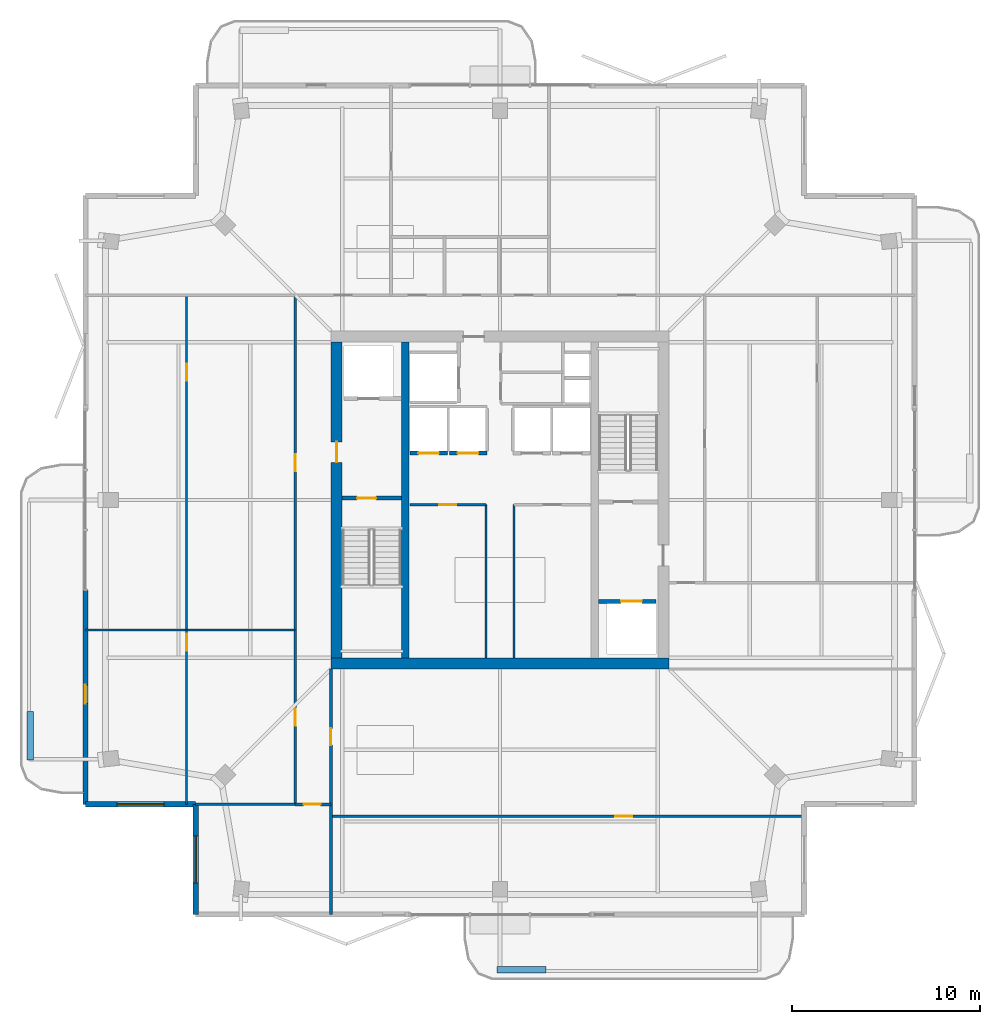
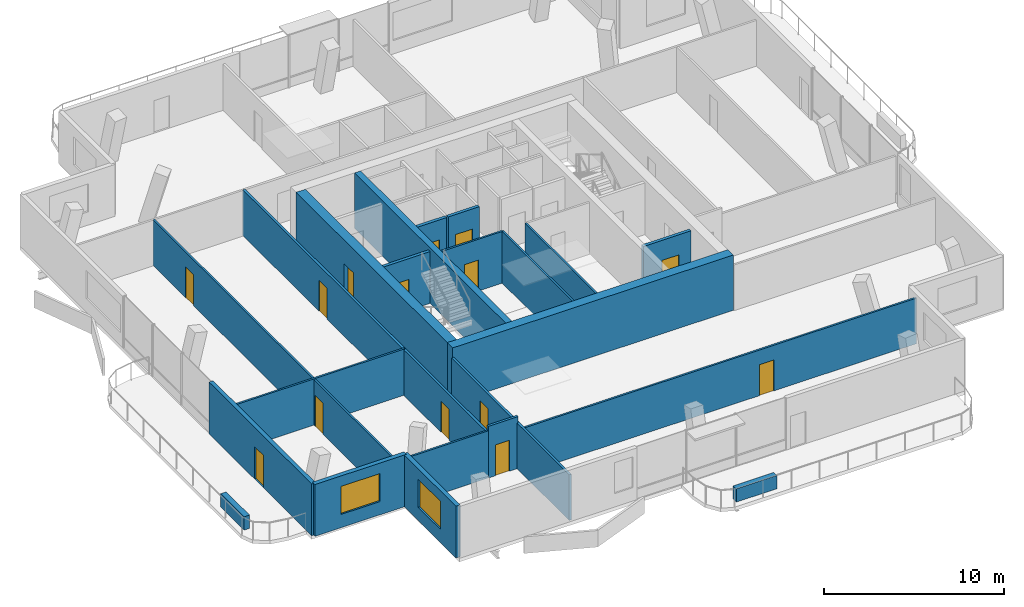
# One storey, part 13 of 19: 23 walls, 14 doors, 2 windows, 16 openings.
"""IFC4 building model written with IfcOpenShell, lengths in metres."""

from ifc_helpers import new_model, si_unit, direction, frame, frame_2d, origin, place, context, subcontext, project, spatial, rectangle, extrude, material, layer, layer_set, type_object, element, fill, save


model = new_model("IFC4")

# Units and contexts
model_context = context("Model", 3, precision=1e-05, world=origin(), true_north=direction((0.0, 1.0)))
body_context = subcontext(model_context, "Body", "Model", "MODEL_VIEW")
ifc_project = project(units=[si_unit("LENGTHUNIT", "METRE"), si_unit("AREAUNIT", "SQUARE_METRE"), si_unit("VOLUMEUNIT", "CUBIC_METRE"), si_unit("PLANEANGLEUNIT", "RADIAN"), si_unit("MASSUNIT", "GRAM", prefix="KILO")], contexts=[model_context])

# Site, building, storey
site_placement = place(None, origin())
site = spatial("IfcSite", under=ifc_project, at=site_placement, CompositionType="ELEMENT")
building_placement = place(site_placement, origin())
building = spatial("IfcBuilding", under=site, at=building_placement, Name="Belovzor Exchange Tower", CompositionType="ELEMENT")
storey_placement = place(building_placement, frame((0.0, 0.0, 340.5)))
storey = spatial("IfcBuildingStorey", under=building, at=storey_placement, Name="L85", CompositionType="ELEMENT", Elevation=340.5)

# Wall, opening, door
ifc_material_1 = material(Name="Acoustic Plasterboard on Galvanised Studs", Category="gypsum")
ifc_layer_1 = layer(ifc_material_1, 0.1201171875)
ifc_layer_set_1 = layer_set([ifc_layer_1], Name="Acoustic Plasterboard on Galvanised Studs")
wall_type_1 = type_object("IfcWallType", Name="Acoustic Double-Stud Partition Wall 120", PredefinedType="PARTITIONING", material=ifc_layer_set_1)
wall_1_placement = place(storey_placement, frame((12.115966796875, 12.60009765625, 0.0), z_axis=(0.0, 0.0, 1.0), x_axis=(0.0, 1.0, 0.0)))
wall_1 = element("IfcWall", 1, at=wall_1_placement, inside=storey, type_object=wall_type_1, Name="W-P120 Partition Wall W-L85-WHDIV-0", PredefinedType="PARTITIONING", context=body_context, shape_type="SweptSolid", body=[
    extrude(rectangle(XDim=9.27490234375, YDim=0.1201171875, at=frame_2d((4.637451171875, 0.0))), origin(), (0.0, 0.0, 1.0), 3.094970703125),
])
opening_1_placement = place(wall_1_placement, frame((8.175048828125, 0.0, 0.0)))
opening_1 = element("IfcOpeningElement", 2, at=opening_1_placement, cuts=wall_1, Name="Opening D-INT-090", PredefinedType="OPENING", context=body_context, shape_type="SweptSolid", body=[
    extrude(rectangle(XDim=0.89990234375, YDim=2.10009765625, at=frame_2d((0.449951171875, 1.050048828125))), frame((0.0, 0.070068359375, 0.0), z_axis=(0.0, -1.0, 0.0), x_axis=(1.0, 0.0, 0.0)), (0.0, 0.0, 1.0), 0.14013671875),
])
ifc_material_2 = material(Name="Veneered Hardwood Acoustic Leaf", Category="wood")
door_type_1 = type_object("IfcDoorType", Name="Trading Suite Acoustic Single Door 900x2100", OperationType="NOTDEFINED", PredefinedType="DOOR", material=ifc_material_2)
door_1_placement = place(opening_1_placement, origin())
door_1 = element("IfcDoor", 3, at=door_1_placement, inside=storey, type_object=door_type_1, Name="D-INT-090 Trading Suite Acoustic Single Door 900x2100", OperationType="SINGLE_SWING_LEFT", OverallHeight=2.10009765625, OverallWidth=0.89990234375, PredefinedType="DOOR", context=body_context, shape_type="SweptSolid", body=[
    extrude(rectangle(XDim=0.89990234375, YDim=2.10009765625, at=frame_2d((0.449951171875, 1.050048828125))), frame((0.0, 0.02490234375, 0.0), z_axis=(0.0, -1.0, 0.0), x_axis=(1.0, 0.0, 0.0)), (0.0, 0.0, 1.0), 0.050048828125),
])
fill(opening_1, door_1)

# Wall
wall_2_placement = place(storey_placement, frame((6.72998046875, 21.875, 0.0), z_axis=(0.0, 0.0, 1.0), x_axis=(1.0, 0.0, 0.0)))
element("IfcWall", 4, at=wall_2_placement, inside=storey, type_object=wall_type_1, Name="W-P120 Partition Wall W-L85-WDIV-1", PredefinedType="PARTITIONING", context=body_context, shape_type="SweptSolid", body=[
    extrude(rectangle(XDim=11.169921875, YDim=0.1201171875, at=frame_2d((5.5849609375, 0.0))), origin(), (0.0, 0.0, 1.0), 3.135009765625),
])

# Wall, opening, door
wall_3_placement = place(storey_placement, frame((12.115966796875, 21.875, 0.0), z_axis=(0.0, 0.0, 1.0), x_axis=(0.0, 1.0, 0.0)))
wall_3 = element("IfcWall", 5, at=wall_3_placement, inside=storey, type_object=wall_type_1, Name="W-P120 Partition Wall W-L85-WHDIV-1", PredefinedType="PARTITIONING", context=body_context, shape_type="SweptSolid", body=[
    extrude(rectangle(XDim=17.824951171875, YDim=0.1201171875, at=frame_2d((8.91259765625, 0.0))), origin(), (0.0, 0.0, 1.0), 3.094970703125),
])
opening_2_placement = place(wall_3_placement, frame((13.281982421875, 0.0, 0.0)))
opening_2 = element("IfcOpeningElement", 6, at=opening_2_placement, cuts=wall_3, Name="Opening D-INT-090", PredefinedType="OPENING", context=body_context, shape_type="SweptSolid", body=[
    extrude(rectangle(XDim=0.89990234375, YDim=2.10009765625, at=frame_2d((0.449951171875, 1.050048828125))), frame((0.0, 0.070068359375, 0.0), z_axis=(0.0, -1.0, 0.0), x_axis=(1.0, 0.0, 0.0)), (0.0, 0.0, 1.0), 0.14013671875),
])
door_2_placement = place(opening_2_placement, origin())
door_2 = element("IfcDoor", 7, at=door_2_placement, inside=storey, type_object=door_type_1, Name="D-INT-090 Trading Suite Acoustic Single Door 900x2100", OperationType="SINGLE_SWING_LEFT", OverallHeight=2.10009765625, OverallWidth=0.89990234375, PredefinedType="DOOR", context=body_context, shape_type="SweptSolid", body=[
    extrude(rectangle(XDim=0.89990234375, YDim=2.10009765625, at=frame_2d((0.449951171875, 1.050048828125))), frame((0.0, 0.02490234375, 0.0), z_axis=(0.0, -1.0, 0.0), x_axis=(1.0, 0.0, 0.0)), (0.0, 0.0, 1.0), 0.050048828125),
])
fill(opening_2, door_2)

# Wall
wall_4_placement = place(storey_placement, frame((12.60009765625, 12.60009765625, 0.0), z_axis=(0.0, 0.0, 1.0), x_axis=(1.0, 0.0, 0.0)))
element("IfcWall", 8, at=wall_4_placement, inside=storey, type_object=wall_type_1, Name="W-P120 Partition Wall W-L85-SWS", PredefinedType="PARTITIONING", context=body_context, shape_type="SweptSolid", body=[
    extrude(rectangle(XDim=5.2998046875, YDim=0.1201171875, at=frame_2d((2.64990234375, 0.0))), origin(), (0.0, 0.0, 1.0), 3.195068359375),
])

# Wall, opening, door
wall_5_placement = place(storey_placement, frame((19.800048828125, 11.972900390625, 0.0), z_axis=(0.0, 0.0, 1.0), x_axis=(1.0, 0.0, 0.0)))
wall_5 = element("IfcWall", 9, at=wall_5_placement, inside=storey, type_object=wall_type_1, Name="W-P120 Partition Wall W-L85-SHDIV-0", PredefinedType="PARTITIONING", context=body_context, shape_type="SweptSolid", body=[
    extrude(rectangle(XDim=25.199951171875, YDim=0.1201171875, at=frame_2d((12.60009765625, 0.0))), origin(), (0.0, 0.0, 1.0), 3.094970703125),
])
opening_3_placement = place(wall_5_placement, frame((15.137939453125, 0.0, 0.0)))
opening_3 = element("IfcOpeningElement", 10, at=opening_3_placement, cuts=wall_5, Name="Opening D-INT-090", PredefinedType="OPENING", context=body_context, shape_type="SweptSolid", body=[
    extrude(rectangle(XDim=0.89990234375, YDim=2.10009765625, at=frame_2d((0.449951171875, 1.050048828125))), frame((0.0, 0.070068359375, 0.0), z_axis=(0.0, -1.0, 0.0), x_axis=(1.0, 0.0, 0.0)), (0.0, 0.0, 1.0), 0.14013671875),
])
door_3_placement = place(opening_3_placement, origin())
door_3 = element("IfcDoor", 11, at=door_3_placement, inside=storey, type_object=door_type_1, Name="D-INT-090 Trading Suite Acoustic Single Door 900x2100", OperationType="SINGLE_SWING_LEFT", OverallHeight=2.10009765625, OverallWidth=0.89990234375, PredefinedType="DOOR", context=body_context, shape_type="SweptSolid", body=[
    extrude(rectangle(XDim=0.89990234375, YDim=2.10009765625, at=frame_2d((0.449951171875, 1.050048828125))), frame((0.0, 0.02490234375, 0.0), z_axis=(0.0, -1.0, 0.0), x_axis=(1.0, 0.0, 0.0)), (0.0, 0.0, 1.0), 0.050048828125),
])
fill(opening_3, door_3)

ifc_material_3 = material(Name="Fire-Rated Plasterboard on Galvanised Studs", Category="gypsum")
ifc_layer_2 = layer(ifc_material_3, 0.1201171875)
ifc_layer_set_2 = layer_set([ifc_layer_2], Name="Fire-Rated Plasterboard on Galvanised Studs")
wall_type_2 = type_object("IfcWallType", Name="Fire-Rated Double-Stud Partition Wall 120", PredefinedType="PARTITIONING", material=ifc_layer_set_2)
wall_6_placement = place(storey_placement, frame((24.0, 28.550048828125, 0.0), z_axis=(0.0, 0.0, 1.0), x_axis=(1.0, 0.0, 0.0)))
wall_6 = element("IfcWall", 12, at=wall_6_placement, inside=storey, type_object=wall_type_2, Name="W-P120F Partition Wall W-CRWB-L85-N", PredefinedType="PARTITIONING", context=body_context, shape_type="SweptSolid", body=[
    extrude(rectangle(XDim=4.050048828125, YDim=0.1201171875, at=frame_2d((2.02490234375, 0.0))), origin(), (0.0, 0.0, 1.0), 3.510009765625),
])
opening_4_placement = place(wall_6_placement, frame((1.574951171875, 0.0, 0.0)))
opening_4 = element("IfcOpeningElement", 13, at=opening_4_placement, cuts=wall_6, Name="Opening D-FD60-090", PredefinedType="OPENING", context=body_context, shape_type="SweptSolid", body=[
    extrude(rectangle(XDim=0.89990234375, YDim=2.10009765625, at=frame_2d((0.449951171875, 1.050048828125))), frame((0.0, 0.070068359375, 0.0), z_axis=(0.0, -1.0, 0.0), x_axis=(1.0, 0.0, 0.0)), (0.0, 0.0, 1.0), 0.14013671875),
])
ifc_material_4 = material(Name="Acoustic Timber Fire Leaf", Category="wood")
door_type_2 = type_object("IfcDoorType", Name="Core Service & Restroom Fire Door 900x2100", OperationType="NOTDEFINED", PredefinedType="DOOR", material=ifc_material_4)
door_4_placement = place(opening_4_placement, origin())
door_4 = element("IfcDoor", 14, at=door_4_placement, inside=storey, type_object=door_type_2, Name="D-FD60-090 Core Service & Restroom Fire Door 900x2100", OperationType="SINGLE_SWING_LEFT", OverallHeight=2.10009765625, OverallWidth=0.89990234375, PredefinedType="DOOR", context=body_context, shape_type="SweptSolid", body=[
    extrude(rectangle(XDim=0.89990234375, YDim=2.10009765625, at=frame_2d((0.449951171875, 1.050048828125))), frame((0.0, 0.02490234375, 0.0), z_axis=(0.0, -1.0, 0.0), x_axis=(1.0, 0.0, 0.0)), (0.0, 0.0, 1.0), 0.050048828125),
])
fill(opening_4, door_4)

# Walls
for number, where, z_axis, x_axis, name in (
    (15, (28.050048828125, 20.39990234375, 0.0), (0.0, 0.0, 1.0), (0.0, 1.0, 0.0), "W-P120F Partition Wall W-CRWB-L85-E"),
    (16, (29.550048828125, 20.39990234375, 0.0), (0.0, 0.0, 1.0), (0.0, 1.0, 0.0), "W-P120F Partition Wall W-CREB-L85-W"),
):
    element("IfcWall", number, at=place(storey_placement, frame(where, z_axis=z_axis, x_axis=x_axis)), inside=storey, type_object=wall_type_2, Name=name, PredefinedType="PARTITIONING", context=body_context, shape_type="SweptSolid", body=[
        extrude(rectangle(XDim=8.150146484375, YDim=0.1201171875, at=frame_2d((4.0751953125, 0.0))), origin(), (0.0, 0.0, 1.0), 3.510009765625),
    ])

# Wall, opening, door
ifc_material_5 = material(Name="Fire-Rated Gypsum Block and Mineral Wool", Category="gypsum")
ifc_layer_3 = layer(ifc_material_5, 0.14990234375)
ifc_layer_set_3 = layer_set([ifc_layer_3], Name="Fire-Rated Gypsum Block and Mineral Wool")
wall_type_3 = type_object("IfcWallType", Name="Fire-Rated Gypsum Block Corridor Wall 150", PredefinedType="PARTITIONING", material=ifc_layer_set_3)
wall_7_placement = place(storey_placement, frame((17.89990234375, 12.60009765625, 0.0), z_axis=(0.0, 0.0, 1.0), x_axis=(1.0, 0.0, 0.0)))
wall_7 = element("IfcWall", 17, at=wall_7_placement, inside=storey, type_object=wall_type_3, Name="W-P150 Partition Wall W-L85-CW-END", PredefinedType="PARTITIONING", context=body_context, shape_type="SweptSolid", body=[
    extrude(rectangle(XDim=1.900146484375, YDim=0.14990234375, at=frame_2d((0.9501953125, 0.0))), origin(), (0.0, 0.0, 1.0), 3.510009765625),
])
opening_5_placement = place(wall_7_placement, frame((0.449951171875, 0.0, 0.0)))
opening_5 = element("IfcOpeningElement", 18, at=opening_5_placement, cuts=wall_7, Name="Opening D-FD60-090", PredefinedType="OPENING", context=body_context, shape_type="SweptSolid", body=[
    extrude(rectangle(XDim=0.89990234375, YDim=2.10009765625, at=frame_2d((0.449951171875, 1.050048828125))), frame((0.0, 0.0849609375, 0.0), z_axis=(0.0, -1.0, 0.0), x_axis=(1.0, 0.0, 0.0)), (0.0, 0.0, 1.0), 0.169921875),
])
door_5_placement = place(opening_5_placement, origin())
door_5 = element("IfcDoor", 19, at=door_5_placement, inside=storey, type_object=door_type_2, Name="D-FD60-090 Core Service & Restroom Fire Door 900x2100", OperationType="SINGLE_SWING_LEFT", OverallHeight=2.10009765625, OverallWidth=0.89990234375, PredefinedType="DOOR", context=body_context, shape_type="SweptSolid", body=[
    extrude(rectangle(XDim=0.89990234375, YDim=2.10009765625, at=frame_2d((0.449951171875, 1.050048828125))), frame((0.0, 0.02490234375, 0.0), z_axis=(0.0, -1.0, 0.0), x_axis=(1.0, 0.0, 0.0)), (0.0, 0.0, 1.0), 0.050048828125),
])
fill(opening_5, door_5)

wall_8_placement = place(storey_placement, frame((19.800048828125, 6.72998046875, 0.0), z_axis=(0.0, 0.0, 1.0), x_axis=(0.0, 1.0, 0.0)))
wall_8 = element("IfcWall", 20, at=wall_8_placement, inside=storey, type_object=wall_type_3, Name="W-P150 Partition Wall W-L85-CW-E", PredefinedType="PARTITIONING", context=body_context, shape_type="SweptSolid", body=[
    extrude(rectangle(XDim=13.070068359375, YDim=0.14990234375, at=frame_2d((6.53515625, 0.0))), origin(), (0.0, 0.0, 1.0), 3.094970703125),
])
opening_6_placement = place(wall_8_placement, frame((9.02001953125, 0.0, 0.0)))
opening_6 = element("IfcOpeningElement", 21, at=opening_6_placement, cuts=wall_8, Name="Opening D-FD60-090", PredefinedType="OPENING", context=body_context, shape_type="SweptSolid", body=[
    extrude(rectangle(XDim=0.89990234375, YDim=2.10009765625, at=frame_2d((0.449951171875, 1.050048828125))), frame((0.0, 0.0849609375, 0.0), z_axis=(0.0, -1.0, 0.0), x_axis=(1.0, 0.0, 0.0)), (0.0, 0.0, 1.0), 0.169921875),
])
door_6_placement = place(opening_6_placement, origin())
door_6 = element("IfcDoor", 22, at=door_6_placement, inside=storey, type_object=door_type_2, Name="D-FD60-090 Core Service & Restroom Fire Door 900x2100", OperationType="SINGLE_SWING_RIGHT", OverallHeight=2.10009765625, OverallWidth=0.89990234375, PredefinedType="DOOR", context=body_context, shape_type="SweptSolid", body=[
    extrude(rectangle(XDim=0.89990234375, YDim=2.10009765625, at=frame_2d((0.449951171875, 1.050048828125))), frame((0.0, 0.02490234375, 0.0), z_axis=(0.0, -1.0, 0.0), x_axis=(1.0, 0.0, 0.0)), (0.0, 0.0, 1.0), 0.050048828125),
])
fill(opening_6, door_6)

# Wall, openings, doors
wall_9_placement = place(storey_placement, frame((17.89990234375, 12.60009765625, 0.0), z_axis=(0.0, 0.0, 1.0), x_axis=(0.0, 1.0, 0.0)))
wall_9 = element("IfcWall", 23, at=wall_9_placement, inside=storey, type_object=wall_type_3, Name="W-P150 Partition Wall W-L85-CW", PredefinedType="PARTITIONING", context=body_context, shape_type="SweptSolid", body=[
    extrude(rectangle(XDim=27.099853515625, YDim=0.14990234375, at=frame_2d((13.5498046875, 0.0))), origin(), (0.0, 0.0, 1.0), 3.094970703125),
])
opening_7_placement = place(wall_9_placement, frame((4.18798828125, 0.0, 0.0)))
opening_7 = element("IfcOpeningElement", 24, at=opening_7_placement, cuts=wall_9, Name="Opening D-INT-090", PredefinedType="OPENING", context=body_context, shape_type="SweptSolid", body=[
    extrude(rectangle(XDim=0.89990234375, YDim=2.10009765625, at=frame_2d((0.449951171875, 1.050048828125))), frame((0.0, 0.0849609375, 0.0), z_axis=(0.0, -1.0, 0.0), x_axis=(1.0, 0.0, 0.0)), (0.0, 0.0, 1.0), 0.169921875),
])
opening_8_placement = place(wall_9_placement, frame((17.738037109375, 0.0, 0.0)))
opening_8 = element("IfcOpeningElement", 25, at=opening_8_placement, cuts=wall_9, Name="Opening D-INT-090", PredefinedType="OPENING", context=body_context, shape_type="SweptSolid", body=[
    extrude(rectangle(XDim=0.89990234375, YDim=2.10009765625, at=frame_2d((0.449951171875, 1.050048828125))), frame((0.0, 0.0849609375, 0.0), z_axis=(0.0, -1.0, 0.0), x_axis=(1.0, 0.0, 0.0)), (0.0, 0.0, 1.0), 0.169921875),
])
door_7_placement = place(opening_7_placement, origin())
door_7 = element("IfcDoor", 26, at=door_7_placement, inside=storey, type_object=door_type_1, Name="D-INT-090 Trading Suite Acoustic Single Door 900x2100", OperationType="SINGLE_SWING_RIGHT", OverallHeight=2.10009765625, OverallWidth=0.89990234375, PredefinedType="DOOR", context=body_context, shape_type="SweptSolid", body=[
    extrude(rectangle(XDim=0.89990234375, YDim=2.10009765625, at=frame_2d((0.449951171875, 1.050048828125))), frame((0.0, 0.02490234375, 0.0), z_axis=(0.0, -1.0, 0.0), x_axis=(1.0, 0.0, 0.0)), (0.0, 0.0, 1.0), 0.050048828125),
])
fill(opening_7, door_7)
door_8_placement = place(opening_8_placement, origin())
door_8 = element("IfcDoor", 27, at=door_8_placement, inside=storey, type_object=door_type_1, Name="D-INT-090 Trading Suite Acoustic Single Door 900x2100", OperationType="SINGLE_SWING_LEFT", OverallHeight=2.10009765625, OverallWidth=0.89990234375, PredefinedType="DOOR", context=body_context, shape_type="SweptSolid", body=[
    extrude(rectangle(XDim=0.89990234375, YDim=2.10009765625, at=frame_2d((0.449951171875, 1.050048828125))), frame((0.0, 0.02490234375, 0.0), z_axis=(0.0, -1.0, 0.0), x_axis=(1.0, 0.0, 0.0)), (0.0, 0.0, 1.0), 0.050048828125),
])
fill(opening_8, door_8)

# Wall, opening, window
ifc_material_6 = material(Name="Precast concrete C40/50", Category="concrete")
ifc_layer_4 = layer(ifc_material_6, 0.280029296875)
ifc_layer_set_4 = layer_set([ifc_layer_4], Name="Precast concrete C40/50")
wall_type_4 = type_object("IfcWallType", Name="Precast Concrete Notched Corner Frame Wall 280", PredefinedType="SOLIDWALL", material=ifc_layer_set_4)
wall_10_placement = place(storey_placement, frame((12.60009765625, 6.72998046875, 0.0), z_axis=(0.0, 0.0, 1.0), x_axis=(0.0, 1.0, 0.0)))
wall_10 = element("IfcWall", 28, at=wall_10_placement, inside=storey, type_object=wall_type_4, Name="W-CRN280 Precast Concrete Notched Corner Frame Wall 280 L85", PredefinedType="SOLIDWALL", context=body_context, shape_type="SweptSolid", body=[
    extrude(rectangle(XDim=5.8701171875, YDim=0.280029296875, at=frame_2d((2.93505859375, 0.0))), origin(), (0.0, 0.0, 1.0), 3.510009765625),
])
opening_9_placement = place(wall_10_placement, frame((1.68505859375, 0.0, 0.89990234375)))
opening_9 = element("IfcOpeningElement", 29, at=opening_9_placement, cuts=wall_10, Name="Opening WN-CRN250", PredefinedType="OPENING", context=body_context, shape_type="SweptSolid", body=[
    extrude(rectangle(XDim=2.5, YDim=1.89990234375, at=frame_2d((1.25, 0.949951171875))), frame((0.0, 0.14990234375, 0.0), z_axis=(0.0, -1.0, 0.0), x_axis=(1.0, 0.0, 0.0)), (0.0, 0.0, 1.0), 0.300048828125),
])
ifc_material_7 = material(Name="Thermally Broken Aluminium and Triple Glazing", Category="aluminium")
window_type = type_object("IfcWindowType", Name="Streamline Moderne Corner Wrap Ribbon Window 2500x1900", PartitioningType="SINGLE_PANEL", PredefinedType="WINDOW", material=ifc_material_7)
window_1_placement = place(opening_9_placement, origin())
window_1 = element("IfcWindow", 30, at=window_1_placement, inside=storey, type_object=window_type, Name="WN-CRN250 Streamline Moderne Corner Wrap Ribbon Window 2500x1900", OverallHeight=1.89990234375, OverallWidth=2.5, PartitioningType="SINGLE_PANEL", PredefinedType="WINDOW", context=body_context, shape_type="SweptSolid", body=[
    extrude(rectangle(XDim=2.5, YDim=1.89990234375, at=frame_2d((1.25, 0.949951171875))), frame((0.0, 0.030029296875, 0.0), z_axis=(0.0, -1.0, 0.0), x_axis=(1.0, 0.0, 0.0)), (0.0, 0.0, 1.0), 0.06005859375),
])
fill(opening_9, window_1)

wall_11_placement = place(storey_placement, frame((12.60009765625, 12.60009765625, 0.0), z_axis=(0.0, 0.0, 1.0), x_axis=(-1.0, 0.0, 0.0)))
wall_11 = element("IfcWall", 31, at=wall_11_placement, inside=storey, type_object=wall_type_4, Name="W-CRN280 Precast Concrete Notched Corner Frame Wall 280 L85", PredefinedType="SOLIDWALL", context=body_context, shape_type="SweptSolid", body=[
    extrude(rectangle(XDim=5.8701171875, YDim=0.280029296875, at=frame_2d((2.93505859375, 0.0))), origin(), (0.0, 0.0, 1.0), 3.510009765625),
])
opening_10_placement = place(wall_11_placement, frame((1.68505859375, 0.0, 0.89990234375)))
opening_10 = element("IfcOpeningElement", 32, at=opening_10_placement, cuts=wall_11, Name="Opening WN-CRN250", PredefinedType="OPENING", context=body_context, shape_type="SweptSolid", body=[
    extrude(rectangle(XDim=2.5, YDim=1.89990234375, at=frame_2d((1.25, 0.949951171875))), frame((0.0, 0.14990234375, 0.0), z_axis=(0.0, -1.0, 0.0), x_axis=(1.0, 0.0, 0.0)), (0.0, 0.0, 1.0), 0.300048828125),
])
window_2_placement = place(opening_10_placement, origin())
window_2 = element("IfcWindow", 33, at=window_2_placement, inside=storey, type_object=window_type, Name="WN-CRN250 Streamline Moderne Corner Wrap Ribbon Window 2500x1900", OverallHeight=1.89990234375, OverallWidth=2.5, PartitioningType="SINGLE_PANEL", PredefinedType="WINDOW", context=body_context, shape_type="SweptSolid", body=[
    extrude(rectangle(XDim=2.5, YDim=1.89990234375, at=frame_2d((1.25, 0.949951171875))), frame((0.0, 0.030029296875, 0.0), z_axis=(0.0, -1.0, 0.0), x_axis=(1.0, 0.0, 0.0)), (0.0, 0.0, 1.0), 0.06005859375),
])
fill(opening_10, window_2)

# Wall, opening, door
ifc_material_8 = material(Name="Precast concrete C40/50", Category="concrete")
ifc_layer_5 = layer(ifc_material_8, 0.260009765625)
ifc_layer_set_5 = layer_set([ifc_layer_5], Name="Precast concrete C40/50")
wall_type_5 = type_object("IfcWallType", Name="Precast Concrete Perimeter Loggia Frame Wall 260", PredefinedType="SOLIDWALL", material=ifc_layer_set_5)
wall_12_placement = place(storey_placement, frame((6.72998046875, 12.60009765625, 0.0), z_axis=(0.0, 0.0, 1.0), x_axis=(0.0, 1.0, 0.0)))
wall_12 = element("IfcWall", 34, at=wall_12_placement, inside=storey, type_object=wall_type_5, Name="W-EXT260 Precast Concrete Perimeter Loggia Frame Wall 260 L85", PredefinedType="SOLIDWALL", context=body_context, shape_type="SweptSolid", body=[
    extrude(rectangle(XDim=11.39990234375, YDim=0.260009765625, at=frame_2d((5.699951171875, 0.0))), origin(), (0.0, 0.0, 1.0), 3.510009765625),
])
opening_11_placement = place(wall_12_placement, frame((5.35498046875, 0.0, 0.0)))
opening_11 = element("IfcOpeningElement", 35, at=opening_11_placement, cuts=wall_12, Name="Opening D-BAL100", PredefinedType="OPENING", context=body_context, shape_type="SweptSolid", body=[
    extrude(rectangle(XDim=1.0, YDim=2.199951171875, at=frame_2d((0.5, 1.10009765625))), frame((0.0, 0.139892578125, 0.0), z_axis=(0.0, -1.0, 0.0), x_axis=(1.0, 0.0, 0.0)), (0.0, 0.0, 1.0), 0.280029296875),
])
ifc_material_9 = material(Name="Thermally Broken Anodised Aluminium and Laminated Glass", Category="aluminium")
door_type_3 = type_object("IfcDoorType", Name="Planted Loggia Terrace Glazed Door 1000x2200", OperationType="SINGLE_SWING_LEFT", PredefinedType="DOOR", material=ifc_material_9)
door_9_placement = place(opening_11_placement, origin())
door_9 = element("IfcDoor", 36, at=door_9_placement, inside=storey, type_object=door_type_3, Name="D-BAL100 Balcony Terrace Door L85 W", OperationType="SINGLE_SWING_RIGHT", OverallHeight=2.199951171875, OverallWidth=1.0, PredefinedType="DOOR", context=body_context, shape_type="SweptSolid", body=[
    extrude(rectangle(XDim=1.0, YDim=2.199951171875, at=frame_2d((0.5, 1.10009765625))), frame((0.0, 0.02490234375, 0.0), z_axis=(0.0, -1.0, 0.0), x_axis=(1.0, 0.0, 0.0)), (0.0, 0.0, 1.0), 0.050048828125),
])
fill(opening_11, door_9)

# Walls
ifc_material_10 = material(Name="Precast concrete C40/50", Category="concrete")
ifc_layer_6 = layer(ifc_material_10, 0.35009765625)
ifc_layer_set_6 = layer_set([ifc_layer_6], Name="Precast concrete C40/50")
wall_type_6 = type_object("IfcWallType", Name="Precast Concrete Structural Tree Planter Trough 350", PredefinedType="PARAPET", material=ifc_layer_set_6)
for number, where, z_axis, x_axis, name in (
    (37, (28.64990234375, 3.800048828125, 0.0), (0.0, 0.0, 1.0), (1.0, 0.0, 0.0), "PT-350 Precast Concrete Structural Tree Planter Trough 350 L85"),
    (38, (3.800048828125, 14.949951171875, 0.0), (0.0, 0.0, 1.0), (0.0, 1.0, 0.0), "PT-350 Precast Concrete Structural Tree Planter Trough 350 L85"),
):
    element("IfcWall", number, at=place(storey_placement, frame(where, z_axis=z_axis, x_axis=x_axis)), inside=storey, type_object=wall_type_6, Name=name, PredefinedType="PARAPET", context=body_context, shape_type="SweptSolid", body=[
        extrude(rectangle(XDim=2.60009765625, YDim=0.35009765625, at=frame_2d((1.300048828125, 0.0))), origin(), (0.0, 0.0, 1.0), 0.89990234375),
    ])
ifc_material_11 = material(Name="Concrete C50/60", Category="concrete")
ifc_layer_7 = layer(ifc_material_11, 0.39990234375)
ifc_layer_set_7 = layer_set([ifc_layer_7], Name="Concrete C50/60")
wall_type_7 = type_object("IfcWallType", Name="Reinforced Concrete Core Internal Web Wall 400", PredefinedType="SHEAR", material=ifc_layer_set_7)
wall_13_placement = place(storey_placement, frame((23.75, 20.39990234375, 0.0), z_axis=(0.0, 0.0, 1.0), x_axis=(0.0, 1.0, 0.0)))
element("IfcWall", 39, at=wall_13_placement, inside=storey, type_object=wall_type_7, Name="CW-W040 Core Internal Web Wall L85 WL", PredefinedType="SHEAR", context=body_context, shape_type="SweptSolid", body=[
    extrude(rectangle(XDim=16.800048828125, YDim=0.39990234375, at=frame_2d((8.39990234375, 0.0))), origin(), (0.0, 0.0, 1.0), 3.75),
])

# Wall, opening, door
ifc_material_12 = material(Name="Concrete C50/60", Category="concrete")
ifc_layer_8 = layer(ifc_material_12, 0.199951171875)
ifc_layer_set_8 = layer_set([ifc_layer_8], Name="Concrete C50/60")
wall_type_8 = type_object("IfcWallType", Name="Reinforced Concrete Core Shaft Shear Wall 200", PredefinedType="SHEAR", material=ifc_layer_set_8)
wall_14_placement = place(storey_placement, frame((20.39990234375, 28.89990234375, 0.0), z_axis=(0.0, 0.0, 1.0), x_axis=(1.0, 0.0, 0.0)))
wall_14 = element("IfcWall", 40, at=wall_14_placement, inside=storey, type_object=wall_type_8, Name="W-C200S Core Shaft Wall W-CORE-L85-FFLW1", PredefinedType="SHEAR", context=body_context, shape_type="SweptSolid", body=[
    extrude(rectangle(XDim=3.150146484375, YDim=0.199951171875, at=frame_2d((1.5751953125, 0.0))), origin(), (0.0, 0.0, 1.0), 3.510009765625),
])
opening_12_placement = place(wall_14_placement, frame((0.800048828125, 0.0, 0.0)))
opening_12 = element("IfcOpeningElement", 41, at=opening_12_placement, cuts=wall_14, Name="Opening D-FD90-100", PredefinedType="OPENING", context=body_context, shape_type="SweptSolid", body=[
    extrude(rectangle(XDim=1.0, YDim=2.10009765625, at=frame_2d((0.5, 1.050048828125))), frame((0.0, 0.10986328125, 0.0), z_axis=(0.0, -1.0, 0.0), x_axis=(1.0, 0.0, 0.0)), (0.0, 0.0, 1.0), 0.219970703125),
])
ifc_material_13 = material(Name="Fire-Rated Galvanised Steel Leaf", Category="steel")
door_type_4 = type_object("IfcDoorType", Name="Protected Stairwell Single Fire Door 1000x2100", OperationType="NOTDEFINED", PredefinedType="DOOR", material=ifc_material_13)
door_10_placement = place(opening_12_placement, origin())
door_10 = element("IfcDoor", 42, at=door_10_placement, inside=storey, type_object=door_type_4, Name="D-FD90-100 Protected Stairwell Single Fire Door 1000x2100", OperationType="SINGLE_SWING_RIGHT", OverallHeight=2.10009765625, OverallWidth=1.0, PredefinedType="DOOR", context=body_context, shape_type="SweptSolid", body=[
    extrude(rectangle(XDim=1.0, YDim=2.10009765625, at=frame_2d((0.5, 1.050048828125))), frame((0.0, 0.02490234375, 0.0), z_axis=(0.0, -1.0, 0.0), x_axis=(1.0, 0.0, 0.0)), (0.0, 0.0, 1.0), 0.050048828125),
])
fill(opening_12, door_10)

wall_15_placement = place(storey_placement, frame((34.050048828125, 23.39990234375, 0.0), z_axis=(0.0, 0.0, 1.0), x_axis=(1.0, 0.0, 0.0)))
wall_15 = element("IfcWall", 43, at=wall_15_placement, inside=storey, type_object=wall_type_8, Name="W-C200S Core Shaft Wall W-SH-L85-FFL-02", PredefinedType="SHEAR", context=body_context, shape_type="SweptSolid", body=[
    extrude(rectangle(XDim=3.050048828125, YDim=0.199951171875, at=frame_2d((1.52490234375, 0.0))), origin(), (0.0, 0.0, 1.0), 3.510009765625),
])
opening_13_placement = place(wall_15_placement, frame((1.199951171875, 0.0, 0.0)))
opening_13 = element("IfcOpeningElement", 44, at=opening_13_placement, cuts=wall_15, Name="Opening LD-110", PredefinedType="OPENING", context=body_context, shape_type="SweptSolid", body=[
    extrude(rectangle(XDim=1.10009765625, YDim=2.14990234375, at=frame_2d((0.550048828125, 1.074951171875))), frame((0.0, 0.10986328125, 0.0), z_axis=(0.0, -1.0, 0.0), x_axis=(1.0, 0.0, 0.0)), (0.0, 0.0, 1.0), 0.219970703125),
])
ifc_material_14 = material(Name="Stainless Steel Grade 304", Category="steel")
door_type_5 = type_object("IfcDoorType", Name="Automated Stainless Steel Lift Landing Door 1100x2150", OperationType="SLIDING_TO_RIGHT", PredefinedType="DOOR", material=ifc_material_14)
door_11_placement = place(opening_13_placement, origin())
door_11 = element("IfcDoor", 45, at=door_11_placement, inside=storey, type_object=door_type_5, Name="LD-110 Automated Stainless Steel Lift Landing Door 1100x2150", OperationType="SLIDING_TO_RIGHT", OverallHeight=2.14990234375, OverallWidth=1.10009765625, PredefinedType="DOOR", context=body_context, shape_type="SweptSolid", body=[
    extrude(rectangle(XDim=1.10009765625, YDim=2.14990234375, at=frame_2d((0.550048828125, 1.074951171875))), frame((0.0, 0.02490234375, 0.0), z_axis=(0.0, -1.0, 0.0), x_axis=(1.0, 0.0, 0.0)), (0.0, 0.0, 1.0), 0.050048828125),
])
fill(opening_13, door_11)

wall_16_placement = place(storey_placement, frame((24.0, 31.300048828125, 0.0), z_axis=(0.0, 0.0, 1.0), x_axis=(1.0, 0.0, 0.0)))
wall_16 = element("IfcWall", 46, at=wall_16_placement, inside=storey, type_object=wall_type_8, Name="W-C200S Core Shaft Wall W-SH-L85-PL-H1", PredefinedType="SHEAR", context=body_context, shape_type="SweptSolid", body=[
    extrude(rectangle(XDim=2.0, YDim=0.199951171875, at=frame_2d((1.0, 0.0))), origin(), (0.0, 0.0, 1.0), 3.510009765625),
])
opening_14_placement = place(wall_16_placement, frame((0.449951171875, 0.0, 0.0)))
opening_14 = element("IfcOpeningElement", 47, at=opening_14_placement, cuts=wall_16, Name="Opening LD-110", PredefinedType="OPENING", context=body_context, shape_type="SweptSolid", body=[
    extrude(rectangle(XDim=1.10009765625, YDim=2.14990234375, at=frame_2d((0.550048828125, 1.074951171875))), frame((0.0, 0.10986328125, 0.0), z_axis=(0.0, -1.0, 0.0), x_axis=(1.0, 0.0, 0.0)), (0.0, 0.0, 1.0), 0.219970703125),
])
door_12_placement = place(opening_14_placement, origin())
door_12 = element("IfcDoor", 48, at=door_12_placement, inside=storey, type_object=door_type_5, Name="LD-110 Automated Stainless Steel Lift Landing Door 1100x2150", OperationType="SLIDING_TO_RIGHT", OverallHeight=2.14990234375, OverallWidth=1.10009765625, PredefinedType="DOOR", context=body_context, shape_type="SweptSolid", body=[
    extrude(rectangle(XDim=1.10009765625, YDim=2.14990234375, at=frame_2d((0.550048828125, 1.074951171875))), frame((0.0, 0.02490234375, 0.0), z_axis=(0.0, -1.0, 0.0), x_axis=(1.0, 0.0, 0.0)), (0.0, 0.0, 1.0), 0.050048828125),
])
fill(opening_14, door_12)

wall_17_placement = place(storey_placement, frame((26.10009765625, 31.300048828125, 0.0), z_axis=(0.0, 0.0, 1.0), x_axis=(1.0, 0.0, 0.0)))
wall_17 = element("IfcWall", 49, at=wall_17_placement, inside=storey, type_object=wall_type_8, Name="W-C200S Core Shaft Wall W-SH-L85-PL-H2", PredefinedType="SHEAR", context=body_context, shape_type="SweptSolid", body=[
    extrude(rectangle(XDim=2.0, YDim=0.199951171875, at=frame_2d((1.0, 0.0))), origin(), (0.0, 0.0, 1.0), 3.510009765625),
])
opening_15_placement = place(wall_17_placement, frame((0.449951171875, 0.0, 0.0)))
opening_15 = element("IfcOpeningElement", 50, at=opening_15_placement, cuts=wall_17, Name="Opening LD-110", PredefinedType="OPENING", context=body_context, shape_type="SweptSolid", body=[
    extrude(rectangle(XDim=1.10009765625, YDim=2.14990234375, at=frame_2d((0.550048828125, 1.074951171875))), frame((0.0, 0.10986328125, 0.0), z_axis=(0.0, -1.0, 0.0), x_axis=(1.0, 0.0, 0.0)), (0.0, 0.0, 1.0), 0.219970703125),
])
door_13_placement = place(opening_15_placement, origin())
door_13 = element("IfcDoor", 51, at=door_13_placement, inside=storey, type_object=door_type_5, Name="LD-110 Automated Stainless Steel Lift Landing Door 1100x2150", OperationType="SLIDING_TO_RIGHT", OverallHeight=2.14990234375, OverallWidth=1.10009765625, PredefinedType="DOOR", context=body_context, shape_type="SweptSolid", body=[
    extrude(rectangle(XDim=1.10009765625, YDim=2.14990234375, at=frame_2d((0.550048828125, 1.074951171875))), frame((0.0, 0.02490234375, 0.0), z_axis=(0.0, -1.0, 0.0), x_axis=(1.0, 0.0, 0.0)), (0.0, 0.0, 1.0), 0.050048828125),
])
fill(opening_15, door_13)

# Wall
ifc_material_15 = material(Name="Concrete C50/60", Category="concrete")
ifc_layer_9 = layer(ifc_material_15, 0.60009765625)
ifc_layer_set_9 = layer_set([ifc_layer_9], Name="Concrete C50/60")
wall_type_9 = type_object("IfcWallType", Name="Reinforced Concrete Core Shear Wall 600", PredefinedType="SHEAR", material=ifc_layer_set_9)
wall_18_placement = place(storey_placement, frame((19.800048828125, 20.10009765625, 0.0), z_axis=(0.0, 0.0, 1.0), x_axis=(1.0, 0.0, 0.0)))
element("IfcWall", 52, at=wall_18_placement, inside=storey, type_object=wall_type_9, Name="CW-S060 Core Shear Wall L85 S", PredefinedType="SHEAR", context=body_context, shape_type="SweptSolid", body=[
    extrude(rectangle(XDim=18.0, YDim=0.60009765625, at=frame_2d((9.0, 0.0))), origin(), (0.0, 0.0, 1.0), 3.75),
])

# Wall, opening, door
wall_19_placement = place(storey_placement, frame((20.10009765625, 20.39990234375, 0.0), z_axis=(0.0, 0.0, 1.0), x_axis=(0.0, 1.0, 0.0)))
wall_19 = element("IfcWall", 53, at=wall_19_placement, inside=storey, type_object=wall_type_9, Name="CW-S060 Core Shear Wall L85 W", PredefinedType="SHEAR", context=body_context, shape_type="SweptSolid", body=[
    extrude(rectangle(XDim=16.800048828125, YDim=0.60009765625, at=frame_2d((8.39990234375, 0.0))), origin(), (0.0, 0.0, 1.0), 3.75),
])
opening_16_placement = place(wall_19_placement, frame((10.39990234375, 0.0, 0.0)))
opening_16 = element("IfcOpeningElement", 54, at=opening_16_placement, cuts=wall_19, Name="Opening D-FD90-110", PredefinedType="OPENING", context=body_context, shape_type="SweptSolid", body=[
    extrude(rectangle(XDim=1.10009765625, YDim=2.14990234375, at=frame_2d((0.550048828125, 1.074951171875))), frame((0.0, 0.31005859375, 0.0), z_axis=(0.0, -1.0, 0.0), x_axis=(1.0, 0.0, 0.0)), (0.0, 0.0, 1.0), 0.6201171875),
])
ifc_material_16 = material(Name="Fire-Rated Galvanised Steel Leaf", Category="steel")
door_type_6 = type_object("IfcDoorType", Name="Protected Escape Vestibule Fire Door 1100x2150", OperationType="NOTDEFINED", PredefinedType="DOOR", material=ifc_material_16)
door_14_placement = place(opening_16_placement, origin())
door_14 = element("IfcDoor", 55, at=door_14_placement, inside=storey, type_object=door_type_6, Name="D-FD90-110 Protected Escape Vestibule Fire Door 1100x2150", OperationType="SINGLE_SWING_LEFT", OverallHeight=2.14990234375, OverallWidth=1.10009765625, PredefinedType="DOOR", context=body_context, shape_type="SweptSolid", body=[
    extrude(rectangle(XDim=1.10009765625, YDim=2.14990234375, at=frame_2d((0.550048828125, 1.074951171875))), frame((0.0, 0.02490234375, 0.0), z_axis=(0.0, -1.0, 0.0), x_axis=(1.0, 0.0, 0.0)), (0.0, 0.0, 1.0), 0.050048828125),
])
fill(opening_16, door_14)

save(model, "model.ifc")
